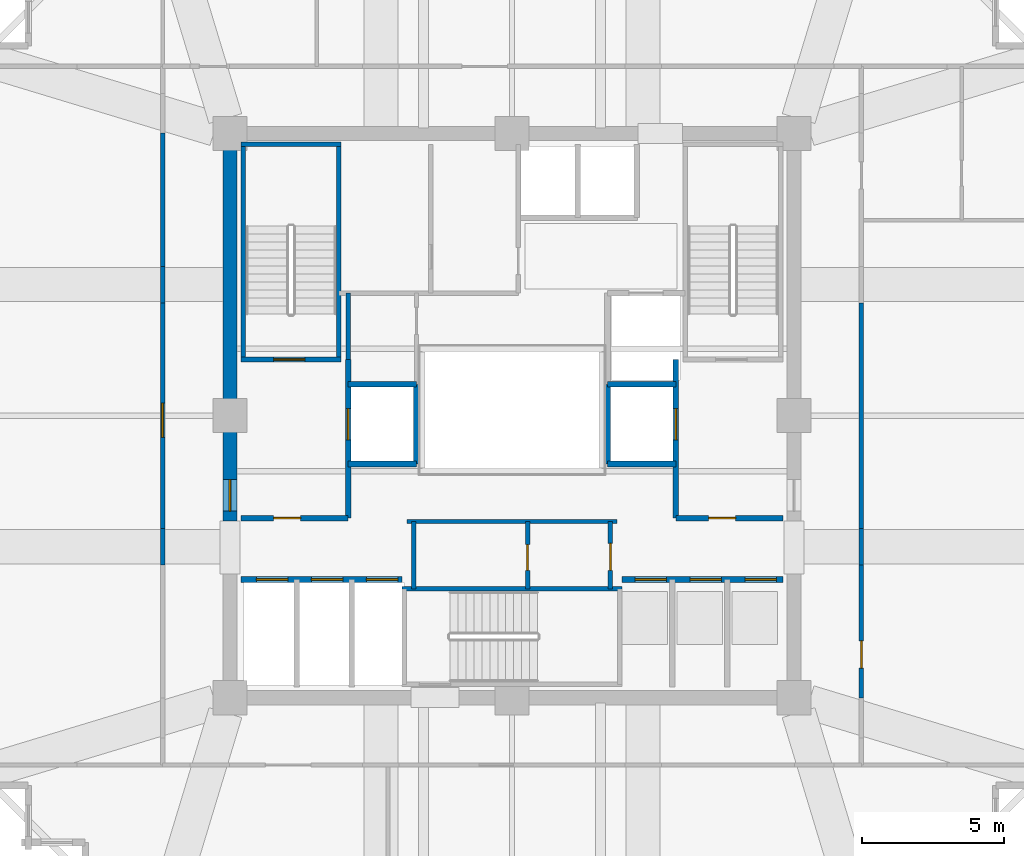
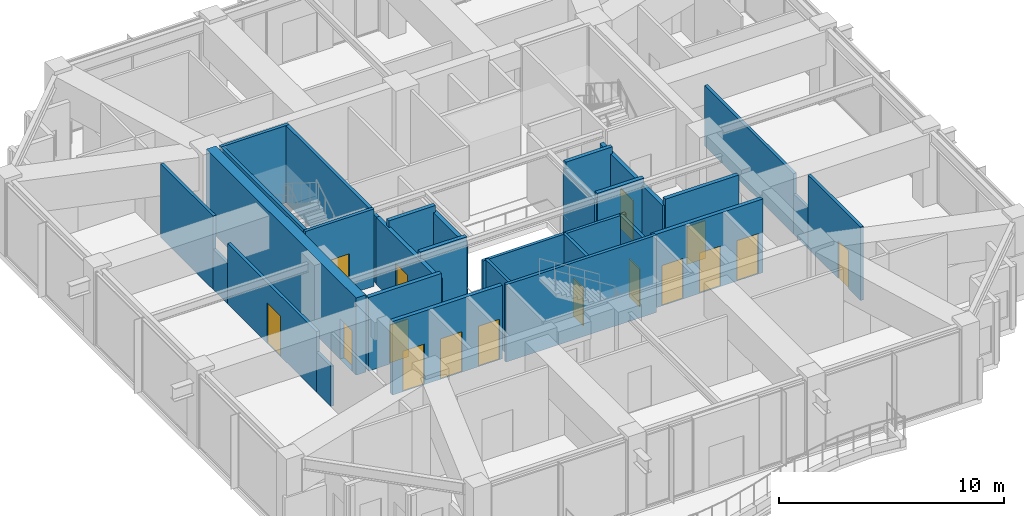
# One storey, part 27 of 33: 30 walls, 16 doors, 16 openings.
"""IFC4 building model written with IfcOpenShell, lengths in metres."""

from ifc_helpers import new_model, si_unit, direction, frame, frame_2d, origin, place, context, subcontext, project, spatial, rectangle, extrude, material, layer, layer_set, type_object, element, fill, save


model = new_model("IFC4")

# Units and contexts
model_context = context("Model", 3, precision=1e-05, world=origin(), true_north=direction((0.0, 1.0)))
body_context = subcontext(model_context, "Body", "Model", "MODEL_VIEW")
ifc_project = project(units=[si_unit("LENGTHUNIT", "METRE"), si_unit("AREAUNIT", "SQUARE_METRE"), si_unit("VOLUMEUNIT", "CUBIC_METRE"), si_unit("PLANEANGLEUNIT", "RADIAN"), si_unit("MASSUNIT", "GRAM", prefix="KILO")], contexts=[model_context])

# Site, building, storey
site_placement = place(None, origin())
site = spatial("IfcSite", under=ifc_project, at=site_placement, CompositionType="ELEMENT")
building_placement = place(site_placement, origin())
building = spatial("IfcBuilding", under=site, at=building_placement, Name="Kolvaren Belvedere", CompositionType="ELEMENT")
storey_placement = place(building_placement, frame((0.0, 0.0, 152.699951171875)))
storey = spatial("IfcBuildingStorey", under=building, at=storey_placement, Name="L44", CompositionType="ELEMENT", Elevation=152.699951171875)

# Wall, opening, door
ifc_material_1 = material(Name="Concrete C50/60", Category="concrete")
ifc_layer_1 = layer(ifc_material_1, 0.5)
ifc_layer_set_1 = layer_set([ifc_layer_1], Name="Concrete C50/60")
wall_type_1 = type_object("IfcWallType", Name="CW-CORE-500", PredefinedType="SHEAR", material=ifc_layer_set_1)
wall_1_placement = place(storey_placement, frame((-9.89990234375, -3.699951171875, 0.0), z_axis=(0.0, 0.0, 1.0), x_axis=(0.0, 1.0, 0.0)))
wall_1 = element("IfcWall", 1, at=wall_1_placement, inside=storey, type_object=wall_type_1, Name="L44 West Core Shear Wall 2", PredefinedType="SHEAR", context=body_context, shape_type="SweptSolid", body=[
    extrude(rectangle(XDim=13.349853515625, YDim=0.5, at=frame_2d((6.6748046875, 0.0))), origin(), (0.0, 0.0, 1.0), 4.199951171875),
])
opening_1_placement = place(wall_1_placement, frame((0.35009765625, 0.0, 0.0)))
opening_1 = element("IfcOpeningElement", 2, at=opening_1_placement, cuts=wall_1, Name="Opening D-FD90", PredefinedType="OPENING", context=body_context, shape_type="SweptSolid", body=[
    extrude(rectangle(XDim=1.10009765625, YDim=2.199951171875, at=frame_2d((0.550048828125, 1.10009765625))), frame((0.0, 0.260009765625, 0.0), z_axis=(0.0, -1.0, 0.0), x_axis=(1.0, 0.0, 0.0)), (0.0, 0.0, 1.0), 0.52001953125),
])
ifc_material_2 = material(Name="Painted hollow stainless steel", Category="steel")
door_type_1 = type_object("IfcDoorType", Name="DR-FD90-1100", OperationType="NOTDEFINED", PredefinedType="DOOR", material=ifc_material_2)
door_1_placement = place(opening_1_placement, origin())
door_1 = element("IfcDoor", 3, at=door_1_placement, inside=storey, type_object=door_type_1, Name="L44 West Firefighting Lobby Fire Door", OperationType="SINGLE_SWING_LEFT", OverallHeight=2.199951171875, OverallWidth=1.10009765625, PredefinedType="DOOR", context=body_context, shape_type="SweptSolid", body=[
    extrude(rectangle(XDim=1.10009765625, YDim=2.199951171875, at=frame_2d((0.550048828125, 1.10009765625))), frame((0.0, 0.02490234375, 0.0), z_axis=(0.0, -1.0, 0.0), x_axis=(1.0, 0.0, 0.0)), (0.0, 0.0, 1.0), 0.050048828125),
])
fill(opening_1, door_1)

ifc_material_3 = material(Name="Concrete C50/60", Category="concrete")
ifc_layer_2 = layer(ifc_material_3, 0.159912109375)
ifc_layer_set_2 = layer_set([ifc_layer_2], Name="Concrete C50/60")
wall_type_2 = type_object("IfcWallType", Name="CW-STAIR-160", PredefinedType="SHEAR", material=ifc_layer_set_2)
wall_2_placement = place(storey_placement, frame((-9.52001953125, 1.969970703125, 0.0), z_axis=(0.0, 0.0, 1.0), x_axis=(1.0, 0.0, 0.0)))
wall_2 = element("IfcWall", 4, at=wall_2_placement, inside=storey, type_object=wall_type_2, Name="L44 Stair ST-1 South Shear Wall", PredefinedType="SHEAR", context=body_context, shape_type="SweptSolid", body=[
    extrude(rectangle(XDim=3.52001953125, YDim=0.159912109375, at=frame_2d((1.760009765625, 0.0))), origin(), (0.0, 0.0, 1.0), 4.199951171875),
])
opening_2_placement = place(wall_2_placement, frame((1.14990234375, 0.0, 0.0)))
opening_2 = element("IfcOpeningElement", 5, at=opening_2_placement, cuts=wall_2, Name="Opening D-FD90", PredefinedType="OPENING", context=body_context, shape_type="SweptSolid", body=[
    extrude(rectangle(XDim=1.10009765625, YDim=2.199951171875, at=frame_2d((0.550048828125, 1.10009765625))), frame((0.0, 0.08984375, 0.0), z_axis=(0.0, -1.0, 0.0), x_axis=(1.0, 0.0, 0.0)), (0.0, 0.0, 1.0), 0.179931640625),
])
door_2_placement = place(opening_2_placement, origin())
door_2 = element("IfcDoor", 6, at=door_2_placement, inside=storey, type_object=door_type_1, Name="L44 Stair ST-1 Fire Door", OperationType="SINGLE_SWING_LEFT", OverallHeight=2.199951171875, OverallWidth=1.10009765625, PredefinedType="DOOR", context=body_context, shape_type="SweptSolid", body=[
    extrude(rectangle(XDim=1.10009765625, YDim=2.199951171875, at=frame_2d((0.550048828125, 1.10009765625))), frame((0.0, 0.02490234375, 0.0), z_axis=(0.0, -1.0, 0.0), x_axis=(1.0, 0.0, 0.0)), (0.0, 0.0, 1.0), 0.050048828125),
])
fill(opening_2, door_2)

# Walls
wall_3_placement = place(storey_placement, frame((-9.52001953125, 9.530029296875, 0.0), z_axis=(0.0, 0.0, 1.0), x_axis=(1.0, 0.0, 0.0)))
element("IfcWall", 7, at=wall_3_placement, inside=storey, type_object=wall_type_2, Name="L44 Stair ST-1 North Shear Wall", PredefinedType="SHEAR", context=body_context, shape_type="SweptSolid", body=[
    extrude(rectangle(XDim=3.52001953125, YDim=0.159912109375, at=frame_2d((1.760009765625, 0.0))), origin(), (0.0, 0.0, 1.0), 4.199951171875),
])
for number, where, z_axis, x_axis, name in (
    (8, (-9.429931640625, 1.969970703125, 0.0), (0.0, 0.0, 1.0), (0.0, 1.0, 0.0), "L44 Stair ST-1 West Shear Wall"),
    (9, (-6.080078125, 1.969970703125, 0.0), (0.0, 0.0, 1.0), (0.0, 1.0, 0.0), "L44 Stair ST-1 East Shear Wall"),
):
    element("IfcWall", number, at=place(storey_placement, frame(where, z_axis=z_axis, x_axis=x_axis)), inside=storey, type_object=wall_type_2, Name=name, PredefinedType="SHEAR", context=body_context, shape_type="SweptSolid", body=[
        extrude(rectangle(XDim=7.56005859375, YDim=0.159912109375, at=frame_2d((3.780029296875, 0.0))), origin(), (0.0, 0.0, 1.0), 4.199951171875),
    ])
wall_4_placement = place(storey_placement, frame((-3.860107421875, -6.080078125, 0.0), z_axis=(0.0, 0.0, 1.0), x_axis=(1.0, 0.0, 0.0)))
element("IfcWall", 10, at=wall_4_placement, inside=storey, type_object=wall_type_2, Name="L44 Stair ST-3 North Shear Wall", PredefinedType="SHEAR", context=body_context, shape_type="SweptSolid", body=[
    extrude(rectangle(XDim=7.72021484375, YDim=0.159912109375, at=frame_2d((3.860107421875, 0.0))), origin(), (0.0, 0.0, 1.0), 4.199951171875),
])
ifc_material_4 = material(Name="Gypsum fire-rated partition assembly", Category="gypsum")
ifc_layer_3 = layer(ifc_material_4, 0.14990234375)
ifc_layer_set_3 = layer_set([ifc_layer_3], Name="Gypsum fire-rated partition assembly")
wall_type_3 = type_object("IfcWallType", Name="WL-CORR-150", PredefinedType="PARTITIONING", material=ifc_layer_set_3)
wall_5_placement = place(storey_placement, frame((-12.260009765625, -5.241943359375, 0.0), z_axis=(0.0, 0.0, 1.0), x_axis=(0.0, 1.0, 0.0)))
element("IfcWall", 11, at=wall_5_placement, inside=storey, type_object=wall_type_3, Name="L44 West Corridor Wall", PredefinedType="PARTITIONING", context=body_context, shape_type="SweptSolid", body=[
    extrude(rectangle(XDim=1.283935546875, YDim=0.14990234375, at=frame_2d((0.64208984375, 0.0))), origin(), (0.0, 0.0, 1.0), 2.18505859375),
])

# Wall, opening, door
wall_6_placement = place(storey_placement, frame((-12.260009765625, -3.9580078125, 0.0), z_axis=(0.0, 0.0, 1.0), x_axis=(0.0, 1.0, 0.0)))
wall_6 = element("IfcWall", 12, at=wall_6_placement, inside=storey, type_object=wall_type_3, Name="L44 West Corridor Wall", PredefinedType="PARTITIONING", context=body_context, shape_type="SweptSolid", body=[
    extrude(rectangle(XDim=7.916015625, YDim=0.14990234375, at=frame_2d((3.9580078125, 0.0))), origin(), (0.0, 0.0, 1.0), 3.2890625),
])
opening_3_placement = place(wall_6_placement, frame((3.197998046875, 0.0, 0.0)))
opening_3 = element("IfcOpeningElement", 13, at=opening_3_placement, cuts=wall_6, Name="Opening D-GL12", PredefinedType="OPENING", context=body_context, shape_type="SweptSolid", body=[
    extrude(rectangle(XDim=1.199951171875, YDim=2.199951171875, at=frame_2d((0.60009765625, 1.10009765625))), frame((0.0, 0.0849609375, 0.0), z_axis=(0.0, -1.0, 0.0), x_axis=(1.0, 0.0, 0.0)), (0.0, 0.0, 1.0), 0.169921875),
])
ifc_material_5 = material(Name="Anodised pale-metal aluminium & safety glass", Category="aluminium")
door_type_2 = type_object("IfcDoorType", Name="DR-GLAZ-1200", OperationType="DOUBLE_DOOR_SINGLE_SWING", PredefinedType="DOOR", material=ifc_material_5)
door_3_placement = place(opening_3_placement, origin())
door_3 = element("IfcDoor", 14, at=door_3_placement, inside=storey, type_object=door_type_2, Name="L44 Private Horizon Club Salon Door", OperationType="DOUBLE_DOOR_SINGLE_SWING", OverallHeight=2.199951171875, OverallWidth=1.199951171875, PredefinedType="DOOR", context=body_context, shape_type="SweptSolid", body=[
    extrude(rectangle(XDim=1.199951171875, YDim=2.199951171875, at=frame_2d((0.60009765625, 1.10009765625))), frame((0.0, 0.02490234375, 0.0), z_axis=(0.0, -1.0, 0.0), x_axis=(1.0, 0.0, 0.0)), (0.0, 0.0, 1.0), 0.050048828125),
])
fill(opening_3, door_3)

# Walls
wall_7_placement = place(storey_placement, frame((-12.260009765625, 3.9580078125, 0.0), z_axis=(0.0, 0.0, 1.0), x_axis=(0.0, 1.0, 0.0)))
element("IfcWall", 15, at=wall_7_placement, inside=storey, type_object=wall_type_3, Name="L44 West Corridor Wall", PredefinedType="PARTITIONING", context=body_context, shape_type="SweptSolid", body=[
    extrude(rectangle(XDim=1.283935546875, YDim=0.14990234375, at=frame_2d((0.64208984375, 0.0))), origin(), (0.0, 0.0, 1.0), 2.18505859375),
])
wall_8_placement = place(storey_placement, frame((-12.260009765625, 5.241943359375, 0.0), z_axis=(0.0, 0.0, 1.0), x_axis=(0.0, 1.0, 0.0)))
element("IfcWall", 16, at=wall_8_placement, inside=storey, type_object=wall_type_3, Name="L44 West Corridor Wall", PredefinedType="PARTITIONING", context=body_context, shape_type="SweptSolid", body=[
    extrude(rectangle(XDim=4.677001953125, YDim=0.14990234375, at=frame_2d((2.33837890625, 0.0))), origin(), (0.0, 0.0, 1.0), 4.0),
])

# Wall, opening, door
wall_9_placement = place(storey_placement, frame((12.260009765625, -9.9189453125, 0.0), z_axis=(0.0, 0.0, 1.0), x_axis=(0.0, 1.0, 0.0)))
wall_9 = element("IfcWall", 17, at=wall_9_placement, inside=storey, type_object=wall_type_3, Name="L44 East Corridor Wall", PredefinedType="PARTITIONING", context=body_context, shape_type="SweptSolid", body=[
    extrude(rectangle(XDim=4.677001953125, YDim=0.14990234375, at=frame_2d((2.33837890625, 0.0))), origin(), (0.0, 0.0, 1.0), 4.0),
])
opening_4_placement = place(wall_9_placement, frame((1.058837890625, 0.0, 0.0)))
opening_4 = element("IfcOpeningElement", 18, at=opening_4_placement, cuts=wall_9, Name="Opening D-FD60", PredefinedType="OPENING", context=body_context, shape_type="SweptSolid", body=[
    extrude(rectangle(XDim=0.949951171875, YDim=2.06005859375, at=frame_2d((0.47509765625, 1.030029296875))), frame((0.0, 0.0849609375, 0.0), z_axis=(0.0, -1.0, 0.0), x_axis=(1.0, 0.0, 0.0)), (0.0, 0.0, 1.0), 0.169921875),
])
ifc_material_6 = material(Name="Acoustic white-oak fire door leaf", Category="timber")
door_type_3 = type_object("IfcDoorType", Name="DR-FD60-950", OperationType="NOTDEFINED", PredefinedType="DOOR", material=ifc_material_6)
door_4_placement = place(opening_4_placement, origin())
door_4 = element("IfcDoor", 19, at=door_4_placement, inside=storey, type_object=door_type_3, Name="L44 Club Finishing Kitchen Door", OperationType="SINGLE_SWING_LEFT", OverallHeight=2.06005859375, OverallWidth=0.949951171875, PredefinedType="DOOR", context=body_context, shape_type="SweptSolid", body=[
    extrude(rectangle(XDim=0.949951171875, YDim=2.06005859375, at=frame_2d((0.47509765625, 1.030029296875))), frame((0.0, 0.02490234375, 0.0), z_axis=(0.0, -1.0, 0.0), x_axis=(1.0, 0.0, 0.0)), (0.0, 0.0, 1.0), 0.050048828125),
])
fill(opening_4, door_4)

# Walls
wall_10_placement = place(storey_placement, frame((12.260009765625, -5.241943359375, 0.0), z_axis=(0.0, 0.0, 1.0), x_axis=(0.0, 1.0, 0.0)))
element("IfcWall", 20, at=wall_10_placement, inside=storey, type_object=wall_type_3, Name="L44 East Corridor Wall", PredefinedType="PARTITIONING", context=body_context, shape_type="SweptSolid", body=[
    extrude(rectangle(XDim=1.283935546875, YDim=0.14990234375, at=frame_2d((0.64208984375, 0.0))), origin(), (0.0, 0.0, 1.0), 2.18505859375),
])
wall_11_placement = place(storey_placement, frame((12.260009765625, -3.9580078125, 0.0), z_axis=(0.0, 0.0, 1.0), x_axis=(0.0, 1.0, 0.0)))
element("IfcWall", 21, at=wall_11_placement, inside=storey, type_object=wall_type_3, Name="L44 East Corridor Wall", PredefinedType="PARTITIONING", context=body_context, shape_type="SweptSolid", body=[
    extrude(rectangle(XDim=7.916015625, YDim=0.14990234375, at=frame_2d((3.9580078125, 0.0))), origin(), (0.0, 0.0, 1.0), 3.2890625),
])
ifc_material_7 = material(Name="Gypsum acoustic partition assembly", Category="gypsum")
ifc_layer_4 = layer(ifc_material_7, 0.14990234375)
ifc_layer_set_4 = layer_set([ifc_layer_4], Name="Gypsum acoustic partition assembly")
wall_type_4 = type_object("IfcWallType", Name="WL-PART-150", PredefinedType="PARTITIONING", material=ifc_layer_set_4)
wall_12_placement = place(storey_placement, frame((-3.679931640625, -3.719970703125, 0.0), z_axis=(0.0, 0.0, 1.0), x_axis=(1.0, 0.0, 0.0)))
element("IfcWall", 22, at=wall_12_placement, inside=storey, type_object=wall_type_4, Name="L44 South Core Service North Wall", PredefinedType="PARTITIONING", context=body_context, shape_type="SweptSolid", body=[
    extrude(rectangle(XDim=7.35986328125, YDim=0.14990234375, at=frame_2d((3.679931640625, 0.0))), origin(), (0.0, 0.0, 1.0), 4.0),
])

# Wall, opening, door
wall_13_placement = place(storey_placement, frame((3.449951171875, -6.080078125, 0.0), z_axis=(0.0, 0.0, 1.0), x_axis=(0.0, 1.0, 0.0)))
wall_13 = element("IfcWall", 23, at=wall_13_placement, inside=storey, type_object=wall_type_4, Name="L44 South Core Service East Wall", PredefinedType="PARTITIONING", context=body_context, shape_type="SweptSolid", body=[
    extrude(rectangle(XDim=2.360107421875, YDim=0.14990234375, at=frame_2d((1.18017578125, 0.0))), origin(), (0.0, 0.0, 1.0), 4.0),
])
opening_5_placement = place(wall_13_placement, frame((0.64990234375, 0.0, 0.0)))
opening_5 = element("IfcOpeningElement", 24, at=opening_5_placement, cuts=wall_13, Name="Opening D-FD60", PredefinedType="OPENING", context=body_context, shape_type="SweptSolid", body=[
    extrude(rectangle(XDim=0.949951171875, YDim=2.06005859375, at=frame_2d((0.47509765625, 1.030029296875))), frame((0.0, 0.0849609375, 0.0), z_axis=(0.0, -1.0, 0.0), x_axis=(1.0, 0.0, 0.0)), (0.0, 0.0, 1.0), 0.169921875),
])
door_5_placement = place(opening_5_placement, origin())
door_5 = element("IfcDoor", 25, at=door_5_placement, inside=storey, type_object=door_type_3, Name="L44 Core Service Room Door", OperationType="SINGLE_SWING_LEFT", OverallHeight=2.06005859375, OverallWidth=0.949951171875, PredefinedType="DOOR", context=body_context, shape_type="SweptSolid", body=[
    extrude(rectangle(XDim=0.949951171875, YDim=2.06005859375, at=frame_2d((0.47509765625, 1.030029296875))), frame((0.0, 0.02490234375, 0.0), z_axis=(0.0, -1.0, 0.0), x_axis=(1.0, 0.0, 0.0)), (0.0, 0.0, 1.0), 0.050048828125),
])
fill(opening_5, door_5)

# Wall
wall_14_placement = place(storey_placement, frame((-3.449951171875, -6.080078125, 0.0), z_axis=(0.0, 0.0, 1.0), x_axis=(0.0, 1.0, 0.0)))
element("IfcWall", 26, at=wall_14_placement, inside=storey, type_object=wall_type_4, Name="L44 South Core Service West Wall", PredefinedType="PARTITIONING", context=body_context, shape_type="SweptSolid", body=[
    extrude(rectangle(XDim=2.360107421875, YDim=0.14990234375, at=frame_2d((1.18017578125, 0.0))), origin(), (0.0, 0.0, 1.0), 4.0),
])

# Wall, opening, door
wall_15_placement = place(storey_placement, frame((0.550048828125, -6.080078125, 0.0), z_axis=(0.0, 0.0, 1.0), x_axis=(0.0, 1.0, 0.0)))
wall_15 = element("IfcWall", 27, at=wall_15_placement, inside=storey, type_object=wall_type_4, Name="L44 Core Service Divider", PredefinedType="PARTITIONING", context=body_context, shape_type="SweptSolid", body=[
    extrude(rectangle(XDim=2.360107421875, YDim=0.14990234375, at=frame_2d((1.18017578125, 0.0))), origin(), (0.0, 0.0, 1.0), 4.0),
])
opening_6_placement = place(wall_15_placement, frame((0.64990234375, 0.0, 0.0)))
opening_6 = element("IfcOpeningElement", 28, at=opening_6_placement, cuts=wall_15, Name="Opening D-INT90", PredefinedType="OPENING", context=body_context, shape_type="SweptSolid", body=[
    extrude(rectangle(XDim=0.89990234375, YDim=2.06005859375, at=frame_2d((0.449951171875, 1.030029296875))), frame((0.0, 0.0849609375, 0.0), z_axis=(0.0, -1.0, 0.0), x_axis=(1.0, 0.0, 0.0)), (0.0, 0.0, 1.0), 0.169921875),
])
ifc_material_8 = material(Name="Stained Pacific white oak", Category="timber")
door_type_4 = type_object("IfcDoorType", Name="DR-INT-900", OperationType="NOTDEFINED", PredefinedType="DOOR", material=ifc_material_8)
door_6_placement = place(opening_6_placement, origin())
door_6 = element("IfcDoor", 29, at=door_6_placement, inside=storey, type_object=door_type_4, Name="L44 BMS Inner Door", OperationType="SINGLE_SWING_LEFT", OverallHeight=2.06005859375, OverallWidth=0.89990234375, PredefinedType="DOOR", context=body_context, shape_type="SweptSolid", body=[
    extrude(rectangle(XDim=0.89990234375, YDim=2.06005859375, at=frame_2d((0.449951171875, 1.030029296875))), frame((0.0, 0.02490234375, 0.0), z_axis=(0.0, -1.0, 0.0), x_axis=(1.0, 0.0, 0.0)), (0.0, 0.0, 1.0), 0.050048828125),
])
fill(opening_6, door_6)

# Wall
wall_16_placement = place(storey_placement, frame((-5.75, 1.969970703125, 0.0), z_axis=(0.0, 0.0, 1.0), x_axis=(0.0, 1.0, 0.0)))
element("IfcWall", 30, at=wall_16_placement, inside=storey, type_object=wall_type_4, Name="L44 NW Service Room West Wall", PredefinedType="PARTITIONING", context=body_context, shape_type="SweptSolid", body=[
    extrude(rectangle(XDim=2.330078125, YDim=0.14990234375, at=frame_2d((1.1650390625, 0.0))), origin(), (0.0, 0.0, 1.0), 3.635009765625),
])

# Wall, opening, door
ifc_material_9 = material(Name="Concrete C50/60", Category="concrete")
ifc_layer_5 = layer(ifc_material_9, 0.199951171875)
ifc_layer_set_5 = layer_set([ifc_layer_5], Name="Concrete C50/60")
wall_type_5 = type_object("IfcWallType", Name="WL-SHAFT-200", PredefinedType="SOLIDWALL", material=ifc_layer_set_5)
wall_17_placement = place(storey_placement, frame((-9.52001953125, -3.60009765625, 0.0), z_axis=(0.0, 0.0, 1.0), x_axis=(1.0, 0.0, 0.0)))
wall_17 = element("IfcWall", 31, at=wall_17_placement, inside=storey, type_object=wall_type_5, Name="L44 West FSAE Lobby South Wall", PredefinedType="SOLIDWALL", context=body_context, shape_type="SweptSolid", body=[
    extrude(rectangle(XDim=3.77001953125, YDim=0.199951171875, at=frame_2d((1.885009765625, 0.0))), origin(), (0.0, 0.0, 1.0), 4.0),
])
opening_7_placement = place(wall_17_placement, frame((1.14990234375, 0.0, 0.0)))
opening_7 = element("IfcOpeningElement", 32, at=opening_7_placement, cuts=wall_17, Name="Opening D-FD60", PredefinedType="OPENING", context=body_context, shape_type="SweptSolid", body=[
    extrude(rectangle(XDim=0.949951171875, YDim=2.06005859375, at=frame_2d((0.47509765625, 1.030029296875))), frame((0.0, 0.10986328125, 0.0), z_axis=(0.0, -1.0, 0.0), x_axis=(1.0, 0.0, 0.0)), (0.0, 0.0, 1.0), 0.219970703125),
])
door_7_placement = place(opening_7_placement, origin())
door_7 = element("IfcDoor", 33, at=door_7_placement, inside=storey, type_object=door_type_3, Name="L44 Mid-Rise Lift Lobby Fire Door", OperationType="SINGLE_SWING_LEFT", OverallHeight=2.06005859375, OverallWidth=0.949951171875, PredefinedType="DOOR", context=body_context, shape_type="SweptSolid", body=[
    extrude(rectangle(XDim=0.949951171875, YDim=2.06005859375, at=frame_2d((0.47509765625, 1.030029296875))), frame((0.0, 0.02490234375, 0.0), z_axis=(0.0, -1.0, 0.0), x_axis=(1.0, 0.0, 0.0)), (0.0, 0.0, 1.0), 0.050048828125),
])
fill(opening_7, door_7)

wall_18_placement = place(storey_placement, frame((-5.75, -3.60009765625, 0.0), z_axis=(0.0, 0.0, 1.0), x_axis=(0.0, 1.0, 0.0)))
wall_18 = element("IfcWall", 34, at=wall_18_placement, inside=storey, type_object=wall_type_5, Name="L44 FSAE FS1 Landing Wall", PredefinedType="SOLIDWALL", context=body_context, shape_type="SweptSolid", body=[
    extrude(rectangle(XDim=5.570068359375, YDim=0.199951171875, at=frame_2d((2.78515625, 0.0))), origin(), (0.0, 0.0, 1.0), 3.635009765625),
])
opening_8_placement = place(wall_18_placement, frame((2.75, 0.0, 0.0)))
opening_8 = element("IfcOpeningElement", 35, at=opening_8_placement, cuts=wall_18, Name="Opening LD-11", PredefinedType="OPENING", context=body_context, shape_type="SweptSolid", body=[
    extrude(rectangle(XDim=1.10009765625, YDim=2.199951171875, at=frame_2d((0.550048828125, 1.10009765625))), frame((0.0, 0.10986328125, 0.0), z_axis=(0.0, -1.0, 0.0), x_axis=(1.0, 0.0, 0.0)), (0.0, 0.0, 1.0), 0.219970703125),
])
ifc_material_10 = material(Name="Brushed stainless steel", Category="steel")
door_type_5 = type_object("IfcDoorType", Name="DR-LIFT-1100", OperationType="DOUBLE_DOOR_SLIDING", PredefinedType="DOOR", material=ifc_material_10)
door_8_placement = place(opening_8_placement, origin())
door_8 = element("IfcDoor", 36, at=door_8_placement, inside=storey, type_object=door_type_5, Name="L44 Firefighting Lift FS1 Landing Door", OperationType="DOUBLE_DOOR_SLIDING", OverallHeight=2.199951171875, OverallWidth=1.10009765625, PredefinedType="DOOR", context=body_context, shape_type="SweptSolid", body=[
    extrude(rectangle(XDim=1.10009765625, YDim=2.199951171875, at=frame_2d((0.550048828125, 1.10009765625))), frame((0.0, 0.02490234375, 0.0), z_axis=(0.0, -1.0, 0.0), x_axis=(1.0, 0.0, 0.0)), (0.0, 0.0, 1.0), 0.050048828125),
])
fill(opening_8, door_8)

# Walls
wall_19_placement = place(storey_placement, frame((-3.35009765625, -1.699951171875, 0.0), z_axis=(0.0, 0.0, 1.0), x_axis=(0.0, 1.0, 0.0)))
element("IfcWall", 37, at=wall_19_placement, inside=storey, type_object=wall_type_5, Name="L44 FSAE FS1 Back Wall", PredefinedType="SOLIDWALL", context=body_context, shape_type="SweptSolid", body=[
    extrude(rectangle(XDim=2.800048828125, YDim=0.199951171875, at=frame_2d((1.39990234375, 0.0))), origin(), (0.0, 0.0, 1.0), 3.635009765625),
])
for number, where, z_axis, x_axis, name in (
    (38, (-5.75, -1.699951171875, 0.0), (0.0, 0.0, 1.0), (1.0, 0.0, 0.0), "L44 FSAE FS1 South Wall"),
    (39, (-5.75, 1.10009765625, 0.0), (0.0, 0.0, 1.0), (1.0, 0.0, 0.0), "L44 FSAE FS1 North Wall"),
):
    element("IfcWall", number, at=place(storey_placement, frame(where, z_axis=z_axis, x_axis=x_axis)), inside=storey, type_object=wall_type_5, Name=name, PredefinedType="SOLIDWALL", context=body_context, shape_type="SweptSolid", body=[
        extrude(rectangle(XDim=2.39990234375, YDim=0.199951171875, at=frame_2d((1.199951171875, 0.0))), origin(), (0.0, 0.0, 1.0), 4.0),
    ])

# Wall, opening, door
wall_20_placement = place(storey_placement, frame((5.75, -3.60009765625, 0.0), z_axis=(0.0, 0.0, 1.0), x_axis=(1.0, 0.0, 0.0)))
wall_20 = element("IfcWall", 40, at=wall_20_placement, inside=storey, type_object=wall_type_5, Name="L44 East FSAE Lobby South Wall", PredefinedType="SOLIDWALL", context=body_context, shape_type="SweptSolid", body=[
    extrude(rectangle(XDim=3.77001953125, YDim=0.199951171875, at=frame_2d((1.885009765625, 0.0))), origin(), (0.0, 0.0, 1.0), 4.0),
])
opening_9_placement = place(wall_20_placement, frame((1.14990234375, 0.0, 0.0)))
opening_9 = element("IfcOpeningElement", 41, at=opening_9_placement, cuts=wall_20, Name="Opening D-FD60", PredefinedType="OPENING", context=body_context, shape_type="SweptSolid", body=[
    extrude(rectangle(XDim=0.949951171875, YDim=2.06005859375, at=frame_2d((0.47509765625, 1.030029296875))), frame((0.0, 0.10986328125, 0.0), z_axis=(0.0, -1.0, 0.0), x_axis=(1.0, 0.0, 0.0)), (0.0, 0.0, 1.0), 0.219970703125),
])
door_9_placement = place(opening_9_placement, origin())
door_9 = element("IfcDoor", 42, at=door_9_placement, inside=storey, type_object=door_type_3, Name="L44 SE Lift Lobby Fire Door", OperationType="SINGLE_SWING_RIGHT", OverallHeight=2.06005859375, OverallWidth=0.949951171875, PredefinedType="DOOR", context=body_context, shape_type="SweptSolid", body=[
    extrude(rectangle(XDim=0.949951171875, YDim=2.06005859375, at=frame_2d((0.47509765625, 1.030029296875))), frame((0.0, 0.02490234375, 0.0), z_axis=(0.0, -1.0, 0.0), x_axis=(1.0, 0.0, 0.0)), (0.0, 0.0, 1.0), 0.050048828125),
])
fill(opening_9, door_9)

wall_21_placement = place(storey_placement, frame((5.75, -3.60009765625, 0.0), z_axis=(0.0, 0.0, 1.0), x_axis=(0.0, 1.0, 0.0)))
wall_21 = element("IfcWall", 43, at=wall_21_placement, inside=storey, type_object=wall_type_5, Name="L44 FSAE FS2 Landing Wall", PredefinedType="SOLIDWALL", context=body_context, shape_type="SweptSolid", body=[
    extrude(rectangle(XDim=5.570068359375, YDim=0.199951171875, at=frame_2d((2.78515625, 0.0))), origin(), (0.0, 0.0, 1.0), 3.635009765625),
])
opening_10_placement = place(wall_21_placement, frame((2.75, 0.0, 0.0)))
opening_10 = element("IfcOpeningElement", 44, at=opening_10_placement, cuts=wall_21, Name="Opening LD-11", PredefinedType="OPENING", context=body_context, shape_type="SweptSolid", body=[
    extrude(rectangle(XDim=1.10009765625, YDim=2.199951171875, at=frame_2d((0.550048828125, 1.10009765625))), frame((0.0, 0.10986328125, 0.0), z_axis=(0.0, -1.0, 0.0), x_axis=(1.0, 0.0, 0.0)), (0.0, 0.0, 1.0), 0.219970703125),
])
door_10_placement = place(opening_10_placement, origin())
door_10 = element("IfcDoor", 45, at=door_10_placement, inside=storey, type_object=door_type_5, Name="L44 Firefighting Lift FS2 Landing Door", OperationType="DOUBLE_DOOR_SLIDING", OverallHeight=2.199951171875, OverallWidth=1.10009765625, PredefinedType="DOOR", context=body_context, shape_type="SweptSolid", body=[
    extrude(rectangle(XDim=1.10009765625, YDim=2.199951171875, at=frame_2d((0.550048828125, 1.10009765625))), frame((0.0, 0.02490234375, 0.0), z_axis=(0.0, -1.0, 0.0), x_axis=(1.0, 0.0, 0.0)), (0.0, 0.0, 1.0), 0.050048828125),
])
fill(opening_10, door_10)

# Walls
wall_22_placement = place(storey_placement, frame((3.35009765625, -1.699951171875, 0.0), z_axis=(0.0, 0.0, 1.0), x_axis=(0.0, 1.0, 0.0)))
element("IfcWall", 46, at=wall_22_placement, inside=storey, type_object=wall_type_5, Name="L44 FSAE FS2 Back Wall", PredefinedType="SOLIDWALL", context=body_context, shape_type="SweptSolid", body=[
    extrude(rectangle(XDim=2.800048828125, YDim=0.199951171875, at=frame_2d((1.39990234375, 0.0))), origin(), (0.0, 0.0, 1.0), 3.635009765625),
])
for number, where, z_axis, x_axis, name in (
    (47, (3.35009765625, -1.699951171875, 0.0), (0.0, 0.0, 1.0), (1.0, 0.0, 0.0), "L44 FSAE FS2 South Wall"),
    (48, (3.35009765625, 1.10009765625, 0.0), (0.0, 0.0, 1.0), (1.0, 0.0, 0.0), "L44 FSAE FS2 North Wall"),
):
    element("IfcWall", number, at=place(storey_placement, frame(where, z_axis=z_axis, x_axis=x_axis)), inside=storey, type_object=wall_type_5, Name=name, PredefinedType="SOLIDWALL", context=body_context, shape_type="SweptSolid", body=[
        extrude(rectangle(XDim=2.39990234375, YDim=0.199951171875, at=frame_2d((1.199951171875, 0.0))), origin(), (0.0, 0.0, 1.0), 4.0),
    ])

# Wall, openings, doors
wall_23_placement = place(storey_placement, frame((-9.52001953125, -5.75, 0.0), z_axis=(0.0, 0.0, 1.0), x_axis=(1.0, 0.0, 0.0)))
wall_23 = element("IfcWall", 49, at=wall_23_placement, inside=storey, type_object=wall_type_5, Name="L44 Mid-Rise Lift Bank Front Wall", PredefinedType="SOLIDWALL", context=body_context, shape_type="SweptSolid", body=[
    extrude(rectangle(XDim=5.659912109375, YDim=0.199951171875, at=frame_2d((2.830078125, 0.0))), origin(), (0.0, 0.0, 1.0), 4.0),
])
opening_11_placement = place(wall_23_placement, frame((0.550048828125, 0.0, 0.0)))
opening_11 = element("IfcOpeningElement", 50, at=opening_11_placement, cuts=wall_23, Name="Opening LD-11", PredefinedType="OPENING", context=body_context, shape_type="SweptSolid", body=[
    extrude(rectangle(XDim=1.10009765625, YDim=2.199951171875, at=frame_2d((0.550048828125, 1.10009765625))), frame((0.0, 0.10986328125, 0.0), z_axis=(0.0, -1.0, 0.0), x_axis=(1.0, 0.0, 0.0)), (0.0, 0.0, 1.0), 0.219970703125),
])
opening_12_placement = place(wall_23_placement, frame((2.47998046875, 0.0, 0.0)))
opening_12 = element("IfcOpeningElement", 51, at=opening_12_placement, cuts=wall_23, Name="Opening LD-11", PredefinedType="OPENING", context=body_context, shape_type="SweptSolid", body=[
    extrude(rectangle(XDim=1.10009765625, YDim=2.199951171875, at=frame_2d((0.550048828125, 1.10009765625))), frame((0.0, 0.10986328125, 0.0), z_axis=(0.0, -1.0, 0.0), x_axis=(1.0, 0.0, 0.0)), (0.0, 0.0, 1.0), 0.219970703125),
])
opening_13_placement = place(wall_23_placement, frame((4.409912109375, 0.0, 0.0)))
opening_13 = element("IfcOpeningElement", 52, at=opening_13_placement, cuts=wall_23, Name="Opening LD-11", PredefinedType="OPENING", context=body_context, shape_type="SweptSolid", body=[
    extrude(rectangle(XDim=1.10009765625, YDim=2.199951171875, at=frame_2d((0.550048828125, 1.10009765625))), frame((0.0, 0.10986328125, 0.0), z_axis=(0.0, -1.0, 0.0), x_axis=(1.0, 0.0, 0.0)), (0.0, 0.0, 1.0), 0.219970703125),
])
door_11_placement = place(opening_11_placement, origin())
door_11 = element("IfcDoor", 53, at=door_11_placement, inside=storey, type_object=door_type_5, Name="L44 Passenger Lift P4 Landing Door", OperationType="DOUBLE_DOOR_SLIDING", OverallHeight=2.199951171875, OverallWidth=1.10009765625, PredefinedType="DOOR", context=body_context, shape_type="SweptSolid", body=[
    extrude(rectangle(XDim=1.10009765625, YDim=2.199951171875, at=frame_2d((0.550048828125, 1.10009765625))), frame((0.0, 0.02490234375, 0.0), z_axis=(0.0, -1.0, 0.0), x_axis=(1.0, 0.0, 0.0)), (0.0, 0.0, 1.0), 0.050048828125),
])
fill(opening_11, door_11)
door_12_placement = place(opening_12_placement, origin())
door_12 = element("IfcDoor", 54, at=door_12_placement, inside=storey, type_object=door_type_5, Name="L44 Passenger Lift P5 Landing Door", OperationType="DOUBLE_DOOR_SLIDING", OverallHeight=2.199951171875, OverallWidth=1.10009765625, PredefinedType="DOOR", context=body_context, shape_type="SweptSolid", body=[
    extrude(rectangle(XDim=1.10009765625, YDim=2.199951171875, at=frame_2d((0.550048828125, 1.10009765625))), frame((0.0, 0.02490234375, 0.0), z_axis=(0.0, -1.0, 0.0), x_axis=(1.0, 0.0, 0.0)), (0.0, 0.0, 1.0), 0.050048828125),
])
fill(opening_12, door_12)
door_13_placement = place(opening_13_placement, origin())
door_13 = element("IfcDoor", 55, at=door_13_placement, inside=storey, type_object=door_type_5, Name="L44 Passenger Lift P6 Landing Door", OperationType="DOUBLE_DOOR_SLIDING", OverallHeight=2.199951171875, OverallWidth=1.10009765625, PredefinedType="DOOR", context=body_context, shape_type="SweptSolid", body=[
    extrude(rectangle(XDim=1.10009765625, YDim=2.199951171875, at=frame_2d((0.550048828125, 1.10009765625))), frame((0.0, 0.02490234375, 0.0), z_axis=(0.0, -1.0, 0.0), x_axis=(1.0, 0.0, 0.0)), (0.0, 0.0, 1.0), 0.050048828125),
])
fill(opening_13, door_13)

wall_24_placement = place(storey_placement, frame((3.860107421875, -5.75, 0.0), z_axis=(0.0, 0.0, 1.0), x_axis=(1.0, 0.0, 0.0)))
wall_24 = element("IfcWall", 56, at=wall_24_placement, inside=storey, type_object=wall_type_5, Name="L44 High-Rise Lift Bank Front Wall", PredefinedType="SOLIDWALL", context=body_context, shape_type="SweptSolid", body=[
    extrude(rectangle(XDim=5.659912109375, YDim=0.199951171875, at=frame_2d((2.830078125, 0.0))), origin(), (0.0, 0.0, 1.0), 4.0),
])
opening_14_placement = place(wall_24_placement, frame((0.4599609375, 0.0, 0.0)))
opening_14 = element("IfcOpeningElement", 57, at=opening_14_placement, cuts=wall_24, Name="Opening LD-11", PredefinedType="OPENING", context=body_context, shape_type="SweptSolid", body=[
    extrude(rectangle(XDim=1.10009765625, YDim=2.199951171875, at=frame_2d((0.550048828125, 1.10009765625))), frame((0.0, 0.10986328125, 0.0), z_axis=(0.0, -1.0, 0.0), x_axis=(1.0, 0.0, 0.0)), (0.0, 0.0, 1.0), 0.219970703125),
])
opening_15_placement = place(wall_24_placement, frame((2.389892578125, 0.0, 0.0)))
opening_15 = element("IfcOpeningElement", 58, at=opening_15_placement, cuts=wall_24, Name="Opening LD-11", PredefinedType="OPENING", context=body_context, shape_type="SweptSolid", body=[
    extrude(rectangle(XDim=1.10009765625, YDim=2.199951171875, at=frame_2d((0.550048828125, 1.10009765625))), frame((0.0, 0.10986328125, 0.0), z_axis=(0.0, -1.0, 0.0), x_axis=(1.0, 0.0, 0.0)), (0.0, 0.0, 1.0), 0.219970703125),
])
opening_16_placement = place(wall_24_placement, frame((4.320068359375, 0.0, 0.0)))
opening_16 = element("IfcOpeningElement", 59, at=opening_16_placement, cuts=wall_24, Name="Opening LD-11", PredefinedType="OPENING", context=body_context, shape_type="SweptSolid", body=[
    extrude(rectangle(XDim=1.10009765625, YDim=2.199951171875, at=frame_2d((0.550048828125, 1.10009765625))), frame((0.0, 0.10986328125, 0.0), z_axis=(0.0, -1.0, 0.0), x_axis=(1.0, 0.0, 0.0)), (0.0, 0.0, 1.0), 0.219970703125),
])
door_14_placement = place(opening_14_placement, origin())
door_14 = element("IfcDoor", 60, at=door_14_placement, inside=storey, type_object=door_type_5, Name="L44 Passenger Lift P7 Landing Door", OperationType="DOUBLE_DOOR_SLIDING", OverallHeight=2.199951171875, OverallWidth=1.10009765625, PredefinedType="DOOR", context=body_context, shape_type="SweptSolid", body=[
    extrude(rectangle(XDim=1.10009765625, YDim=2.199951171875, at=frame_2d((0.550048828125, 1.10009765625))), frame((0.0, 0.02490234375, 0.0), z_axis=(0.0, -1.0, 0.0), x_axis=(1.0, 0.0, 0.0)), (0.0, 0.0, 1.0), 0.050048828125),
])
fill(opening_14, door_14)
door_15_placement = place(opening_15_placement, origin())
door_15 = element("IfcDoor", 61, at=door_15_placement, inside=storey, type_object=door_type_5, Name="L44 Passenger Lift P8 Landing Door", OperationType="DOUBLE_DOOR_SLIDING", OverallHeight=2.199951171875, OverallWidth=1.10009765625, PredefinedType="DOOR", context=body_context, shape_type="SweptSolid", body=[
    extrude(rectangle(XDim=1.10009765625, YDim=2.199951171875, at=frame_2d((0.550048828125, 1.10009765625))), frame((0.0, 0.02490234375, 0.0), z_axis=(0.0, -1.0, 0.0), x_axis=(1.0, 0.0, 0.0)), (0.0, 0.0, 1.0), 0.050048828125),
])
fill(opening_15, door_15)
door_16_placement = place(opening_16_placement, origin())
door_16 = element("IfcDoor", 62, at=door_16_placement, inside=storey, type_object=door_type_5, Name="L44 Passenger Lift P9 Landing Door", OperationType="DOUBLE_DOOR_SLIDING", OverallHeight=2.199951171875, OverallWidth=1.10009765625, PredefinedType="DOOR", context=body_context, shape_type="SweptSolid", body=[
    extrude(rectangle(XDim=1.10009765625, YDim=2.199951171875, at=frame_2d((0.550048828125, 1.10009765625))), frame((0.0, 0.02490234375, 0.0), z_axis=(0.0, -1.0, 0.0), x_axis=(1.0, 0.0, 0.0)), (0.0, 0.0, 1.0), 0.050048828125),
])
fill(opening_16, door_16)

save(model, "model.ifc")
